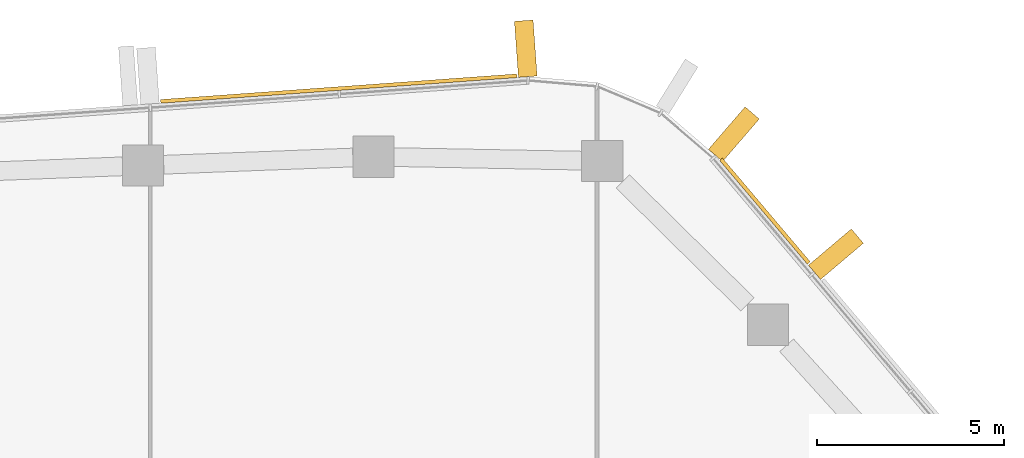
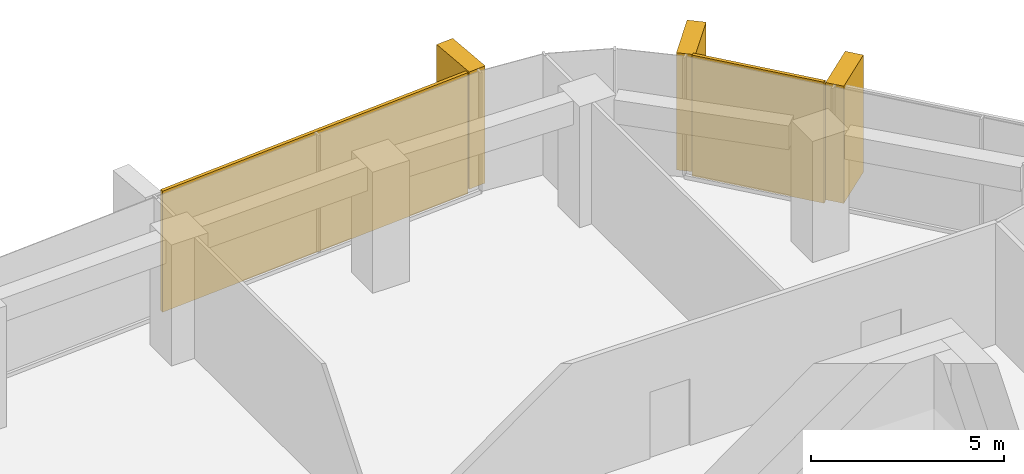
# One storey, part 21 of 21: 5 coverings, 3 elements without a shape of their own.
"""IFC4 building model written with IfcOpenShell, lengths in metres."""

from ifc_helpers import new_model, si_unit, direction, frame, origin, origin_2d, place, context, subcontext, project, spatial, rectangle, extrude, material, layer, layer_set, material_profile, profile_set, type_object, element, aggregate, save


model = new_model("IFC4")

# Units and contexts
model_context = context("Model", 3, precision=1e-05, world=origin(), true_north=direction((0.0, 1.0)))
body_context = subcontext(model_context, "Body", "Model", "MODEL_VIEW")
ifc_project = project(units=[si_unit("LENGTHUNIT", "METRE"), si_unit("AREAUNIT", "SQUARE_METRE"), si_unit("VOLUMEUNIT", "CUBIC_METRE"), si_unit("PLANEANGLEUNIT", "RADIAN"), si_unit("MASSUNIT", "GRAM", prefix="KILO")], contexts=[model_context])

# Site, building, storey
site_placement = place(None, origin())
site = spatial("IfcSite", under=ifc_project, at=site_placement, CompositionType="ELEMENT")
building_placement = place(site_placement, origin())
building = spatial("IfcBuilding", under=site, at=building_placement, Name="Dongbaek Canopy Tower", CompositionType="ELEMENT")
storey_placement = place(building_placement, frame((0.0, 0.0, 274.800048828125)))
storey = spatial("IfcBuildingStorey", under=building, at=storey_placement, Name="L58", CompositionType="ELEMENT", Elevation=274.800048828125)

# Curtain wall, covering
ifc_material_1 = material(Name="Aluminium 6063-T6 pale anodised", Category="aluminium")
ifc_layer_1 = layer(ifc_material_1, 0.199951171875)
ifc_layer_set_1 = layer_set([ifc_layer_1], Name="CW-1 unitised tower curtain wall")
curtain_wall_type = type_object("IfcCurtainWallType", Name="CW-1 unitised tower curtain wall", PredefinedType="NOTDEFINED", material=ifc_layer_set_1)
curtain_wall_1_placement = place(storey_placement, origin())
curtain_wall_1 = element("IfcCurtainWall", 1, at=curtain_wall_1_placement, inside=storey, type_object=curtain_wall_type, Name="CW-1 curtain wall F0.1", PredefinedType="NOTDEFINED")
ifc_material_2 = material(Name="Perforated aluminium 6063-T6 pale metal screen", Category="aluminium")
ifc_layer_2 = layer(ifc_material_2, 0.10009765625)
ifc_layer_set_2 = layer_set([ifc_layer_2], Name="Facet screen FS1 100 pale metal")
covering_type_1 = type_object("IfcCoveringType", Name="Facet screen FS1 100 pale metal", PredefinedType="CLADDING", material=ifc_layer_set_2)
covering_1_placement = place(storey_placement, frame((15.335205078125, 23.26220703125, 0.0), z_axis=(0.0, 0.0, 1.0), x_axis=(-0.6460547082, 0.763291106991, 0.0)))
covering_1 = element("IfcCovering", 2, at=covering_1_placement, type_object=covering_type_1, Name="Facet screen L58 F0", PredefinedType="CLADDING", context=body_context, shape_type="SweptSolid", body=[
    extrude(rectangle(XDim=3.627197265625, YDim=0.10009765625, at=origin_2d()), origin(), (0.0, 0.0, 1.0), 3.820068359375),
])

curtain_wall_2_placement = place(storey_placement, origin())
curtain_wall_2 = element("IfcCurtainWall", 3, at=curtain_wall_2_placement, inside=storey, type_object=curtain_wall_type, Name="CW-1 curtain wall F1.1", PredefinedType="NOTDEFINED")
covering_2_placement = place(storey_placement, frame((3.95703125, 26.53369140625, 0.0), z_axis=(0.0, 0.0, 1.0), x_axis=(-0.997423032604, -0.07174464462, 0.0)))
covering_2 = element("IfcCovering", 4, at=covering_2_placement, type_object=covering_type_1, Name="Facet screen L58 F1", PredefinedType="CLADDING", context=body_context, shape_type="SweptSolid", body=[
    extrude(rectangle(XDim=9.53271484375, YDim=0.10009765625, at=origin_2d()), origin(), (0.0, 0.0, 1.0), 3.820068359375),
])

# Covering
ifc_material_3 = material(Name="Aluminium 6063-T6 pale metal fin", Category="aluminium")
ifc_material_profile = material_profile(ifc_material_3, rectangle(XDim=1.5, YDim=0.5, at=origin_2d()), Name="Fin FN1 500 x 1500 pale metal")
ifc_profile_set = profile_set([ifc_material_profile], Name="Aluminium 6063-T6 pale metal fin")
covering_type_2 = type_object("IfcCoveringType", Name="Fin FN1 500 x 1500 pale metal", PredefinedType="CLADDING", material=ifc_profile_set)
covering_3_placement = place(storey_placement, frame((17.231689453125, 22.111083984375, 0.119873046875), z_axis=(0.0, 0.0, 1.0), x_axis=(0.763290756517, 0.646055122273, 0.0)))
covering_3 = element("IfcCovering", 5, at=covering_3_placement, type_object=covering_type_2, Name="Fin F0.1.5", PredefinedType="CLADDING", context=body_context, shape_type="SweptSolid", body=[
    extrude(rectangle(XDim=1.5, YDim=0.5, at=origin_2d()), origin(), (0.0, 0.0, 1.0), 3.7001953125),
])

aggregate(curtain_wall_1, [covering_3, covering_1])

# Curtain wall, covering
curtain_wall_3_placement = place(storey_placement, origin())
curtain_wall_3 = element("IfcCurtainWall", 6, at=curtain_wall_3_placement, inside=storey, type_object=curtain_wall_type, Name="CW-1 curtain wall K1.1", PredefinedType="NOTDEFINED")
covering_4_placement = place(storey_placement, frame((14.505615234375, 25.31591796875, 0.119873046875), z_axis=(0.0, 0.0, 1.0), x_axis=(0.653115962595, 0.757257908115, 0.0)))
covering_4 = element("IfcCovering", 7, at=covering_4_placement, type_object=covering_type_2, Name="Fin K1.1.1", PredefinedType="CLADDING", context=body_context, shape_type="SweptSolid", body=[
    extrude(rectangle(XDim=1.5, YDim=0.5, at=origin_2d()), origin(), (0.0, 0.0, 1.0), 3.7001953125),
])
aggregate(curtain_wall_3, [covering_4])

# Covering
covering_5_placement = place(storey_placement, frame((8.949951171875, 27.5986328125, 0.119873046875), z_axis=(0.0, 0.0, 1.0), x_axis=(-0.07174408026, 0.997423073198, 0.0)))
covering_5 = element("IfcCovering", 8, at=covering_5_placement, type_object=covering_type_2, Name="Fin F1.1.1", PredefinedType="CLADDING", context=body_context, shape_type="SweptSolid", body=[
    extrude(rectangle(XDim=1.5, YDim=0.5, at=origin_2d()), origin(), (0.0, 0.0, 1.0), 3.7001953125),
])

aggregate(curtain_wall_2, [covering_5, covering_2])

save(model, "model.ifc")
